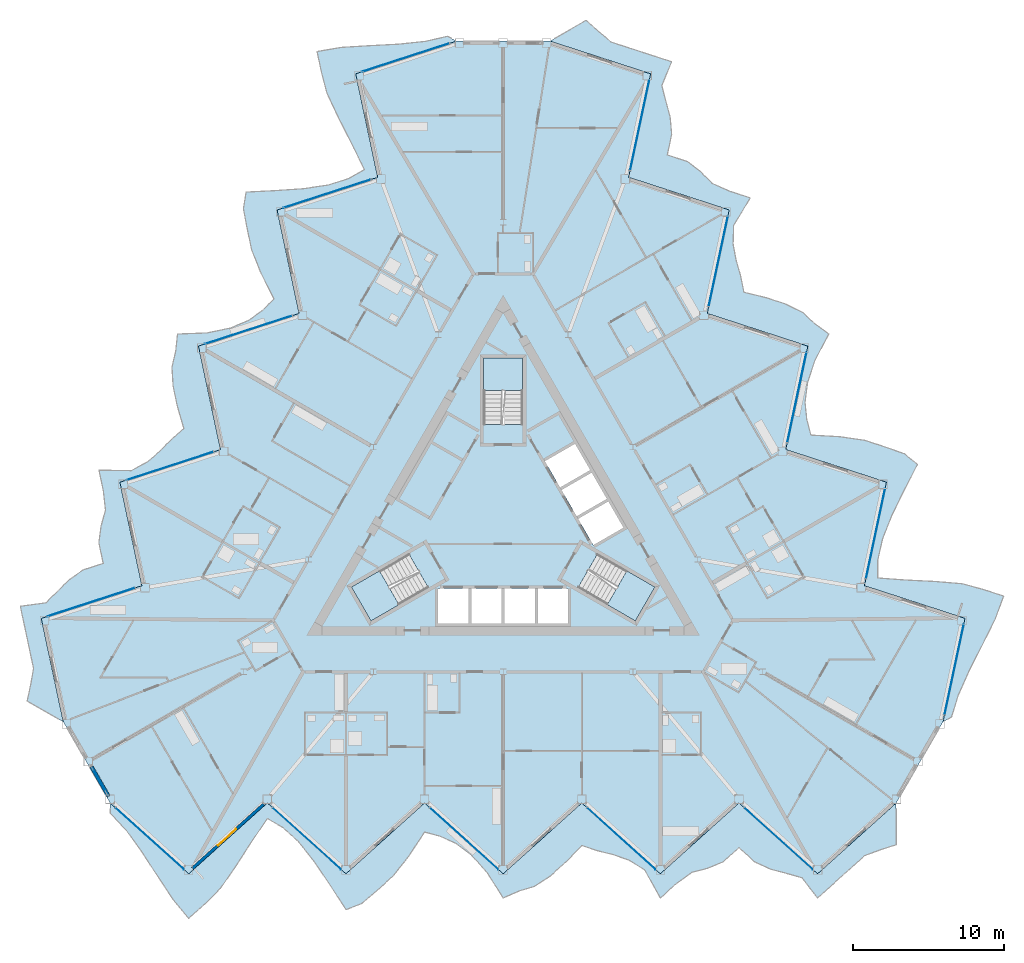
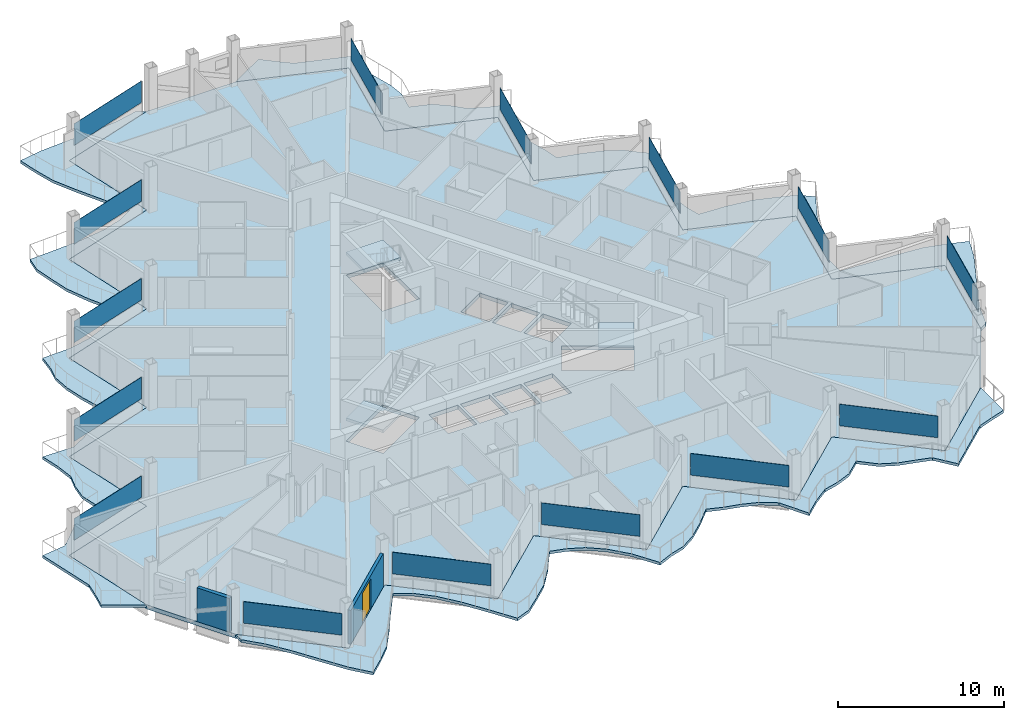
# One storey, part 12 of 27: 15 plates, 7 slabs, 2 walls, 1 door, 1 opening, 18 elements without a shape of their own.
"""IFC4 building model written with IfcOpenShell, lengths in metres."""

from ifc_helpers import new_model, si_unit, direction, frame, frame_2d, origin, origin_2d, place, context, subcontext, project, spatial, polyline, rectangle, outline, extrude, material, layer, layer_set, type_object, element, fill, aggregate, save


model = new_model("IFC4")

# Units and contexts
model_context = context("Model", 3, precision=1e-05, world=origin(), true_north=direction((0.0, 1.0)))
body_context = subcontext(model_context, "Body", "Model", "MODEL_VIEW")
ifc_project = project(units=[si_unit("LENGTHUNIT", "METRE"), si_unit("AREAUNIT", "SQUARE_METRE"), si_unit("VOLUMEUNIT", "CUBIC_METRE"), si_unit("PLANEANGLEUNIT", "RADIAN"), si_unit("MASSUNIT", "GRAM", prefix="KILO")], contexts=[model_context])

# Site, building, storey
site_placement = place(None, origin())
site = spatial("IfcSite", under=ifc_project, at=site_placement, CompositionType="ELEMENT")
building_placement = place(site_placement, origin())
building = spatial("IfcBuilding", under=site, at=building_placement, Name="Cormorant Prow Tower", CompositionType="ELEMENT")
storey_placement = place(building_placement, frame((0.0, 0.0, 335.800048828125)))
storey = spatial("IfcBuildingStorey", under=building, at=storey_placement, Name="L75", CompositionType="ELEMENT", Elevation=335.800048828125)

# Slabs
ifc_material_1 = material(Name="Concrete C40/50", Category="concrete")
ifc_layer_1 = layer(ifc_material_1, 0.199951171875)
ifc_layer_set_1 = layer_set([ifc_layer_1], Name="Concrete C40/50")
slab_type_1 = type_object("IfcSlabType", Name="Balcony slab 200", PredefinedType="FLOOR", material=ifc_layer_set_1)
slab_1_placement = place(storey_placement, frame((0.0, 0.0, -0.199951171875)))
element("IfcSlab", 1, at=slab_1_placement, inside=storey, type_object=slab_type_1, Name="Balcony slab S L75", PredefinedType="FLOOR", context=body_context, shape_type="SweptSolid", body=[
    extrude(outline(polyline([(-25.9814453125, -18.577880859375), (-25.9814453125, -19.227783203125), (-24.942138671875, -20.347412109375), (-23.90283203125, -21.780517578125), (-22.863525390625, -23.380859375), (-21.824462890625, -24.953125), (-20.78515625, -26.20654296875), (-19.745849609375, -25.270751953125), (-18.70654296875, -24.239013671875), (-17.667236328125, -22.7412109375), (-16.628173828125, -21.12841796875), (-15.5888671875, -19.599365234375), (-14.549560546875, -20.199951171875), (-13.51025390625, -21.15771484375), (-12.470947265625, -22.4658203125), (-11.431884765625, -24.0146484375), (-10.392578125, -25.624267578125), (-9.353271484375, -25.224853515625), (-8.31396484375, -24.3349609375), (-7.27490234375, -23.399169921875), (-6.235595703125, -22.078857421875), (-5.1962890625, -20.492919921875), (-4.156982421875, -20.774169921875), (-3.11767578125, -21.2431640625), (-2.07861328125, -22.03759765625), (-1.039306640625, -23.198974609375), (0.0, -24.8564453125), (1.039306640625, -24.396728515625), (2.07861328125, -24.0810546875), (3.11767578125, -23.399169921875), (4.156982421875, -22.463623046875), (5.1962890625, -21.377685546875), (6.235595703125, -21.728271484375), (7.27490234375, -21.986083984375), (8.31396484375, -22.35107421875), (9.353271484375, -22.990478515625), (10.392578125, -24.8564453125), (11.431884765625, -23.9208984375), (12.470947265625, -23.158935546875), (13.51025390625, -22.890869140625), (14.549560546875, -22.463623046875), (15.5888671875, -21.52783203125), (16.628173828125, -22.463623046875), (17.667236328125, -22.945068359375), (18.70654296875, -23.219482421875), (19.745849609375, -23.513427734375), (20.78515625, -24.8564453125), (21.824462890625, -23.9208984375), (22.863525390625, -22.985107421875), (23.90283203125, -22.04931640625), (24.942138671875, -21.669189453125), (25.9814453125, -21.33447265625), (25.9814453125, -18.577880859375), (24.942138671875, -19.513427734375), (23.90283203125, -20.44921875), (22.863525390625, -21.385009765625), (21.824462890625, -22.32080078125), (20.78515625, -23.256591796875), (19.745849609375, -22.32080078125), (18.70654296875, -21.385009765625), (17.667236328125, -20.44921875), (16.628173828125, -19.513427734375), (15.5888671875, -18.577880859375), (14.549560546875, -19.513427734375), (13.51025390625, -20.44921875), (12.470947265625, -21.385009765625), (11.431884765625, -22.32080078125), (10.392578125, -23.256591796875), (9.353271484375, -22.32080078125), (8.31396484375, -21.385009765625), (7.27490234375, -20.44921875), (6.235595703125, -19.513427734375), (5.1962890625, -18.577880859375), (4.156982421875, -19.513427734375), (3.11767578125, -20.44921875), (2.07861328125, -21.385009765625), (1.039306640625, -22.32080078125), (0.0, -23.256591796875), (-1.039306640625, -22.32080078125), (-2.07861328125, -21.385009765625), (-3.11767578125, -20.44921875), (-4.156982421875, -19.513427734375), (-5.1962890625, -18.577880859375), (-6.235595703125, -19.513427734375), (-7.27490234375, -20.44921875), (-8.31396484375, -21.385009765625), (-9.353271484375, -22.32080078125), (-10.392578125, -23.256591796875), (-11.431884765625, -22.32080078125), (-12.470947265625, -21.385009765625), (-13.51025390625, -20.44921875), (-14.549560546875, -19.513427734375), (-15.5888671875, -18.577880859375), (-16.628173828125, -19.513427734375), (-17.667236328125, -20.44921875), (-18.70654296875, -21.385009765625), (-19.745849609375, -22.32080078125), (-20.78515625, -23.256591796875), (-21.824462890625, -22.32080078125), (-22.863525390625, -21.385009765625), (-23.90283203125, -20.44921875), (-24.942138671875, -19.513427734375), (-25.9814453125, -18.577880859375)])), origin(), (0.0, 0.0, 1.0), 0.199951171875),
])
slab_2_placement = place(storey_placement, frame((0.0, 0.0, -0.199951171875)))
element("IfcSlab", 2, at=slab_2_placement, inside=storey, type_object=slab_type_1, Name="Balcony slab ENE L75", PredefinedType="FLOOR", context=body_context, shape_type="SweptSolid", body=[
    extrude(outline(polyline([(29.07958984375, -13.211669921875), (29.642333984375, -12.88671875), (30.09228515625, -11.4267578125), (30.81396484375, -9.810302734375), (31.68017578125, -8.110107421875), (32.522216796875, -6.423828125), (33.088134765625, -4.897216796875), (31.758056640625, -4.465087890625), (30.344970703125, -4.080810546875), (28.5283203125, -3.9296875), (26.61181640625, -3.836181640625), (24.767822265625, -3.70068359375), (24.7685546875, -2.500244140625), (25.078369140625, -1.121337890625), (25.69140625, 0.4326171875), (26.51318359375, 2.107177734375), (27.3876953125, 3.81201171875), (26.52197265625, 4.51220703125), (25.231689453125, 4.96728515625), (23.90185546875, 5.3994140625), (22.23876953125, 5.639404296875), (20.345458984375, 5.746337890625), (20.0693359375, 6.786865234375), (19.9560546875, 7.921630859375), (20.12451171875, 9.21875), (20.610595703125, 10.699462890625), (21.5263671875, 12.42822265625), (20.608642578125, 13.098388671875), (19.815673828125, 13.840576171875), (18.70556640625, 14.399658203125), (17.37548828125, 14.831787109375), (15.91552734375, 15.18896484375), (15.699462890625, 16.26416015625), (15.403076171875, 17.293212890625), (15.199462890625, 18.375732421875), (15.233642578125, 19.595458984375), (16.330078125, 21.428466796875), (15.0, 21.860595703125), (13.82080078125, 22.379638671875), (13.069091796875, 23.145751953125), (12.17919921875, 23.83203125), (10.84912109375, 24.26416015625), (11.139892578125, 25.632080078125), (11.037353515625, 26.77294921875), (10.75537109375, 27.81005859375), (10.490234375, 28.85693359375), (11.1337890625, 30.4287109375), (9.803955078125, 30.86083984375), (8.473876953125, 31.29296875), (7.143798828125, 31.72509765625), (6.294921875, 32.43505859375), (5.485595703125, 33.167724609375), (3.09814453125, 31.789306640625), (4.42822265625, 31.357177734375), (5.758056640625, 30.925048828125), (7.088134765625, 30.492919921875), (8.418212890625, 30.060791015625), (9.748291015625, 29.628662109375), (9.45751953125, 28.2607421875), (9.166748046875, 26.892822265625), (8.8759765625, 25.52490234375), (8.585205078125, 24.156982421875), (8.29443359375, 22.789306640625), (9.62451171875, 22.357177734375), (10.954345703125, 21.9248046875), (12.284423828125, 21.49267578125), (13.614501953125, 21.060546875), (14.944580078125, 20.62841796875), (14.65380859375, 19.260498046875), (14.363037109375, 17.892578125), (14.072265625, 16.52490234375), (13.781494140625, 15.156982421875), (13.49072265625, 13.7890625), (14.82080078125, 13.35693359375), (16.150634765625, 12.9248046875), (17.480712890625, 12.49267578125), (18.810791015625, 12.060302734375), (20.140869140625, 11.628173828125), (19.85009765625, 10.26025390625), (19.559326171875, 8.892578125), (19.2685546875, 7.524658203125), (18.977783203125, 6.15673828125), (18.68701171875, 4.788818359375), (20.01708984375, 4.356689453125), (21.346923828125, 3.924560546875), (22.677001953125, 3.492431640625), (24.007080078125, 3.060302734375), (25.3369140625, 2.628173828125), (25.04638671875, 1.26025390625), (24.755615234375, -0.107666015625), (24.46484375, -1.4755859375), (24.174072265625, -2.843505859375), (23.88330078125, -4.21142578125), (25.21337890625, -4.6435546875), (26.543212890625, -5.07568359375), (27.873291015625, -5.5078125), (29.203369140625, -5.93994140625), (30.533203125, -6.3720703125), (30.242431640625, -7.739990234375), (29.951904296875, -9.10791015625), (29.6611328125, -10.475830078125), (29.370361328125, -11.84375), (29.07958984375, -13.211669921875)])), origin(), (0.0, 0.0, 1.0), 0.199951171875),
])
slab_3_placement = place(storey_placement, frame((0.0, 0.0, -0.199951171875)))
element("IfcSlab", 3, at=slab_3_placement, inside=storey, type_object=slab_type_1, Name="Balcony slab WNW L75", PredefinedType="FLOOR", context=body_context, shape_type="SweptSolid", body=[
    extrude(outline(polyline([(-3.09814453125, 31.789306640625), (-3.6611328125, 32.114501953125), (-5.150146484375, 31.774169921875), (-6.910888671875, 31.5908203125), (-8.816650390625, 31.490966796875), (-10.69775390625, 31.376953125), (-12.302978515625, 31.103759765625), (-12.01220703125, 29.73583984375), (-11.63818359375, 28.31982421875), (-10.86083984375, 26.6708984375), (-9.983642578125, 24.964599609375), (-9.178955078125, 23.300048828125), (-10.218994140625, 22.700439453125), (-11.56787109375, 22.279052734375), (-13.220458984375, 22.033203125), (-15.08154296875, 21.90771484375), (-16.9951171875, 21.8125), (-17.168701171875, 20.712646484375), (-16.917724609375, 19.36767578125), (-16.626953125, 17.999755859375), (-16.003173828125, 16.439697265625), (-15.149169921875, 14.74658203125), (-15.912353515625, 13.987060546875), (-16.83837890625, 13.32177734375), (-18.0458984375, 12.81884765625), (-19.5712890625, 12.49951171875), (-21.5263671875, 12.42822265625), (-21.64794921875, 11.29833984375), (-21.89404296875, 10.240478515625), (-21.8232421875, 8.99951171875), (-21.532470703125, 7.631591796875), (-21.111572265625, 6.188720703125), (-21.934814453125, 5.4638671875), (-22.677978515625, 4.69287109375), (-23.513427734375, 3.975341796875), (-24.5869140625, 3.39501953125), (-26.72265625, 3.427978515625), (-26.431884765625, 2.06005859375), (-26.291748046875, 0.779296875), (-26.579345703125, -0.2548828125), (-26.728759765625, -1.368408203125), (-26.43798828125, -2.736328125), (-27.76806640625, -3.16845703125), (-28.70458984375, -3.827880859375), (-29.4619140625, -4.590576171875), (-30.236083984375, -5.34375), (-31.9189453125, -5.572265625), (-31.628173828125, -6.93994140625), (-31.33740234375, -8.307861328125), (-31.046630859375, -9.67578125), (-31.237060546875, -10.765869140625), (-31.466796875, -11.833251953125), (-29.07958984375, -13.211669921875), (-29.370361328125, -11.84375), (-29.6611328125, -10.475830078125), (-29.951904296875, -9.10791015625), (-30.242431640625, -7.739990234375), (-30.533203125, -6.3720703125), (-29.203369140625, -5.93994140625), (-27.873291015625, -5.5078125), (-26.543212890625, -5.07568359375), (-25.21337890625, -4.6435546875), (-23.88330078125, -4.21142578125), (-24.174072265625, -2.843505859375), (-24.46484375, -1.4755859375), (-24.755615234375, -0.107666015625), (-25.04638671875, 1.26025390625), (-25.3369140625, 2.628173828125), (-24.007080078125, 3.060302734375), (-22.677001953125, 3.492431640625), (-21.346923828125, 3.924560546875), (-20.01708984375, 4.356689453125), (-18.68701171875, 4.788818359375), (-18.977783203125, 6.15673828125), (-19.2685546875, 7.524658203125), (-19.559326171875, 8.892578125), (-19.85009765625, 10.26025390625), (-20.140869140625, 11.628173828125), (-18.810791015625, 12.060302734375), (-17.480712890625, 12.49267578125), (-16.150634765625, 12.9248046875), (-14.82080078125, 13.35693359375), (-13.49072265625, 13.7890625), (-13.781494140625, 15.156982421875), (-14.072265625, 16.52490234375), (-14.363037109375, 17.892578125), (-14.65380859375, 19.260498046875), (-14.944580078125, 20.62841796875), (-13.614501953125, 21.060546875), (-12.284423828125, 21.49267578125), (-10.954345703125, 21.9248046875), (-9.62451171875, 22.357177734375), (-8.29443359375, 22.789306640625), (-8.585205078125, 24.156982421875), (-8.8759765625, 25.52490234375), (-9.166748046875, 26.892822265625), (-9.45751953125, 28.2607421875), (-9.748291015625, 29.628662109375), (-8.418212890625, 30.060791015625), (-7.088134765625, 30.492919921875), (-5.758056640625, 30.925048828125), (-4.42822265625, 31.357177734375), (-3.09814453125, 31.789306640625)])), origin(), (0.0, 0.0, 1.0), 0.199951171875),
])
ifc_material_2 = material(Name="Concrete C40/50", Category="concrete")
ifc_layer_2 = layer(ifc_material_2, 0.300048828125)
ifc_layer_set_2 = layer_set([ifc_layer_2], Name="Concrete C40/50")
slab_type_2 = type_object("IfcSlabType", Name="Post-tensioned flat slab 300", PredefinedType="FLOOR", material=ifc_layer_set_2)
slab_4_placement = place(storey_placement, frame((0.0, 0.0, -0.300048828125)))
element("IfcSlab", 4, at=slab_4_placement, inside=storey, type_object=slab_type_2, Name="Floor slab L75", PredefinedType="FLOOR", context=body_context, shape_type="SweptSolid", body=[
    extrude(outline(polyline([(-8.29443359375, 22.789306640625), (-14.944580078125, 20.62841796875), (-13.49072265625, 13.7890625), (-20.140869140625, 11.628173828125), (-18.68701171875, 4.788818359375), (-25.3369140625, 2.628173828125), (-23.88330078125, -4.21142578125), (-30.533203125, -6.3720703125), (-29.07958984375, -13.211669921875), (-27.530517578125, -15.894775390625), (-25.9814453125, -18.577880859375), (-20.78515625, -23.256591796875), (-15.5888671875, -18.577880859375), (-10.392578125, -23.256591796875), (-5.1962890625, -18.577880859375), (0.0, -23.256591796875), (5.1962890625, -18.577880859375), (10.392578125, -23.256591796875), (15.5888671875, -18.577880859375), (20.78515625, -23.256591796875), (25.9814453125, -18.577880859375), (27.530517578125, -15.894775390625), (29.07958984375, -13.211669921875), (30.533203125, -6.3720703125), (23.88330078125, -4.21142578125), (25.3369140625, 2.628173828125), (18.68701171875, 4.788818359375), (20.140869140625, 11.628173828125), (13.49072265625, 13.7890625), (14.944580078125, 20.62841796875), (8.29443359375, 22.789306640625), (9.748291015625, 29.628662109375), (3.09814453125, 31.789306640625), (0.0, 31.789306640625), (-3.09814453125, 31.789306640625), (-9.748291015625, 29.628662109375), (-8.29443359375, 22.789306640625)]), holes=[polyline([(-4.300048828125, -4.39990234375), (-2.300048828125, -4.39990234375), (-2.300048828125, -6.699951171875), (-4.300048828125, -6.699951171875), (-4.300048828125, -4.39990234375)]), polyline([(-0.10009765625, -4.39990234375), (-0.10009765625, -6.699951171875), (-2.10009765625, -6.699951171875), (-2.10009765625, -4.39990234375), (-0.10009765625, -4.39990234375)]), polyline([(2.10009765625, -6.699951171875), (0.10009765625, -6.699951171875), (0.10009765625, -4.39990234375), (2.10009765625, -4.39990234375), (2.10009765625, -6.699951171875)]), polyline([(2.300048828125, -6.699951171875), (2.300048828125, -4.39990234375), (4.300048828125, -4.39990234375), (4.300048828125, -6.699951171875), (2.300048828125, -6.699951171875)]), polyline([(5.96044921875, -1.52392578125), (4.96044921875, 0.2080078125), (6.952392578125, 1.358154296875), (7.952392578125, -0.373779296875), (5.96044921875, -1.52392578125)]), polyline([(3.860595703125, 2.11328125), (5.852294921875, 3.263427734375), (6.852294921875, 1.53125), (4.860595703125, 0.38134765625), (3.860595703125, 2.11328125)]), polyline([(4.75244140625, 5.168701171875), (5.75244140625, 3.4365234375), (3.760498046875, 2.28662109375), (2.760498046875, 4.018798828125), (4.75244140625, 5.168701171875)]), polyline([(-4.947509765625, -4.3505859375), (-8.738037109375, -6.5390625), (-10.031982421875, -4.2978515625), (-6.241455078125, -2.109375), (-4.947509765625, -4.3505859375)]), polyline([(10.031982421875, -4.2978515625), (8.738037109375, -6.5390625), (4.947509765625, -4.3505859375), (6.241455078125, -2.109375), (10.031982421875, -4.2978515625)]), polyline([(1.2939453125, 10.8369140625), (1.2939453125, 6.459716796875), (-1.2939453125, 6.459716796875), (-1.2939453125, 10.8369140625), (1.2939453125, 10.8369140625)])]), origin(), (0.0, 0.0, 1.0), 0.300048828125),
])

# Curtain wall, plate
ifc_material_3 = material(Name="Aluminium 6063-T6", Category="aluminium")
ifc_layer_3 = layer(ifc_material_3, 0.159912109375)
ifc_layer_set_3 = layer_set([ifc_layer_3], Name="Aluminium 6063-T6")
curtain_wall_type = type_object("IfcCurtainWallType", Name="Residential unitised curtain wall 160", PredefinedType="NOTDEFINED", material=ifc_layer_set_3)
curtain_wall_1_placement = place(storey_placement, origin())
curtain_wall_1 = element("IfcCurtainWall", 5, at=curtain_wall_1_placement, inside=storey, type_object=curtain_wall_type, Name="Residential curtain wall S00", PredefinedType="NOTDEFINED")
ifc_material_4 = material(Name="Clear glass", Category="glass")
ifc_layer_4 = layer(ifc_material_4, 0.02392578125)
ifc_layer_set_4 = layer_set([ifc_layer_4], Name="Clear glass")
plate_type = type_object("IfcPlateType", Name="Residential glass panel 24", PredefinedType="CURTAIN_PANEL", material=ifc_layer_set_4)
plate_1_placement = place(storey_placement, frame((-23.36474609375, -20.933837890625, 0.89990234375), z_axis=(0.0, 0.0, 1.0), x_axis=(0.743144841442, -0.669130588628, 0.0)))
plate_1 = element("IfcPlate", 6, at=plate_1_placement, type_object=plate_type, Name="Residential glass panel S00", PredefinedType="CURTAIN_PANEL", context=body_context, shape_type="SweptSolid", body=[
    extrude(rectangle(XDim=6.07421875, YDim=0.02392578125, at=origin_2d()), origin(), (0.0, 0.0, 1.0), 1.587890625),
])
aggregate(curtain_wall_1, [plate_1])

curtain_wall_2_placement = place(storey_placement, origin())
curtain_wall_2 = element("IfcCurtainWall", 7, at=curtain_wall_2_placement, inside=storey, type_object=curtain_wall_type, Name="Residential curtain wall S02", PredefinedType="NOTDEFINED")
plate_2_placement = place(storey_placement, frame((-12.97216796875, -20.933837890625, 0.89990234375), z_axis=(0.0, 0.0, 1.0), x_axis=(0.743144841442, -0.669130588628, 0.0)))
plate_2 = element("IfcPlate", 8, at=plate_2_placement, type_object=plate_type, Name="Residential glass panel S02", PredefinedType="CURTAIN_PANEL", context=body_context, shape_type="SweptSolid", body=[
    extrude(rectangle(XDim=6.07421875, YDim=0.02392578125, at=origin_2d()), origin(), (0.0, 0.0, 1.0), 1.587890625),
])
aggregate(curtain_wall_2, [plate_2])

curtain_wall_3_placement = place(storey_placement, origin())
curtain_wall_3 = element("IfcCurtainWall", 9, at=curtain_wall_3_placement, inside=storey, type_object=curtain_wall_type, Name="Residential curtain wall S04", PredefinedType="NOTDEFINED")
plate_3_placement = place(storey_placement, frame((-2.57958984375, -20.933837890625, 0.89990234375), z_axis=(0.0, 0.0, 1.0), x_axis=(0.743144841442, -0.669130588628, 0.0)))
plate_3 = element("IfcPlate", 10, at=plate_3_placement, type_object=plate_type, Name="Residential glass panel S04", PredefinedType="CURTAIN_PANEL", context=body_context, shape_type="SweptSolid", body=[
    extrude(rectangle(XDim=6.07421875, YDim=0.02392578125, at=origin_2d()), origin(), (0.0, 0.0, 1.0), 1.587890625),
])
aggregate(curtain_wall_3, [plate_3])

curtain_wall_4_placement = place(storey_placement, origin())
curtain_wall_4 = element("IfcCurtainWall", 11, at=curtain_wall_4_placement, inside=storey, type_object=curtain_wall_type, Name="Residential curtain wall S06", PredefinedType="NOTDEFINED")
plate_4_placement = place(storey_placement, frame((7.81298828125, -20.933837890625, 0.89990234375), z_axis=(0.0, 0.0, 1.0), x_axis=(0.743144841442, -0.669130588628, 0.0)))
plate_4 = element("IfcPlate", 12, at=plate_4_placement, type_object=plate_type, Name="Residential glass panel S06", PredefinedType="CURTAIN_PANEL", context=body_context, shape_type="SweptSolid", body=[
    extrude(rectangle(XDim=6.07421875, YDim=0.02392578125, at=origin_2d()), origin(), (0.0, 0.0, 1.0), 1.587890625),
])
aggregate(curtain_wall_4, [plate_4])

curtain_wall_5_placement = place(storey_placement, origin())
curtain_wall_5 = element("IfcCurtainWall", 13, at=curtain_wall_5_placement, inside=storey, type_object=curtain_wall_type, Name="Residential curtain wall S08", PredefinedType="NOTDEFINED")
plate_5_placement = place(storey_placement, frame((18.20556640625, -20.933837890625, 0.89990234375), z_axis=(0.0, 0.0, 1.0), x_axis=(0.743144841442, -0.669130588628, 0.0)))
plate_5 = element("IfcPlate", 14, at=plate_5_placement, type_object=plate_type, Name="Residential glass panel S08", PredefinedType="CURTAIN_PANEL", context=body_context, shape_type="SweptSolid", body=[
    extrude(rectangle(XDim=6.07421875, YDim=0.02392578125, at=origin_2d()), origin(), (0.0, 0.0, 1.0), 1.587890625),
])
aggregate(curtain_wall_5, [plate_5])

curtain_wall_6_placement = place(storey_placement, origin())
curtain_wall_6 = element("IfcCurtainWall", 15, at=curtain_wall_6_placement, inside=storey, type_object=curtain_wall_type, Name="Residential curtain wall ENE00", PredefinedType="NOTDEFINED")
plate_6_placement = place(storey_placement, frame((29.8115234375, -9.767333984375, 0.89990234375), z_axis=(0.0, 0.0, 1.0), x_axis=(0.207911593013, 0.978147621523, 0.0)))
plate_6 = element("IfcPlate", 16, at=plate_6_placement, type_object=plate_type, Name="Residential glass panel ENE00", PredefinedType="CURTAIN_PANEL", context=body_context, shape_type="SweptSolid", body=[
    extrude(rectangle(XDim=6.07421875, YDim=0.02392578125, at=origin_2d()), origin(), (0.0, 0.0, 1.0), 1.587890625),
])
aggregate(curtain_wall_6, [plate_6])

curtain_wall_7_placement = place(storey_placement, origin())
curtain_wall_7 = element("IfcCurtainWall", 17, at=curtain_wall_7_placement, inside=storey, type_object=curtain_wall_type, Name="Residential curtain wall ENE02", PredefinedType="NOTDEFINED")
plate_7_placement = place(storey_placement, frame((24.615234375, -0.767333984375, 0.89990234375), z_axis=(0.0, 0.0, 1.0), x_axis=(0.207911729844, 0.978147592438, 0.0)))
plate_7 = element("IfcPlate", 18, at=plate_7_placement, type_object=plate_type, Name="Residential glass panel ENE02", PredefinedType="CURTAIN_PANEL", context=body_context, shape_type="SweptSolid", body=[
    extrude(rectangle(XDim=6.07421875, YDim=0.02392578125, at=origin_2d()), origin(), (0.0, 0.0, 1.0), 1.587890625),
])
aggregate(curtain_wall_7, [plate_7])

curtain_wall_8_placement = place(storey_placement, origin())
curtain_wall_8 = element("IfcCurtainWall", 19, at=curtain_wall_8_placement, inside=storey, type_object=curtain_wall_type, Name="Residential curtain wall ENE04", PredefinedType="NOTDEFINED")
plate_8_placement = place(storey_placement, frame((19.4189453125, 8.23291015625, 0.89990234375), z_axis=(0.0, 0.0, 1.0), x_axis=(0.207911729844, 0.978147592438, 0.0)))
plate_8 = element("IfcPlate", 20, at=plate_8_placement, type_object=plate_type, Name="Residential glass panel ENE04", PredefinedType="CURTAIN_PANEL", context=body_context, shape_type="SweptSolid", body=[
    extrude(rectangle(XDim=6.07421875, YDim=0.02392578125, at=origin_2d()), origin(), (0.0, 0.0, 1.0), 1.587890625),
])
aggregate(curtain_wall_8, [plate_8])

curtain_wall_9_placement = place(storey_placement, origin())
curtain_wall_9 = element("IfcCurtainWall", 21, at=curtain_wall_9_placement, inside=storey, type_object=curtain_wall_type, Name="Residential curtain wall ENE06", PredefinedType="NOTDEFINED")
plate_9_placement = place(storey_placement, frame((14.222900390625, 17.233154296875, 0.89990234375), z_axis=(0.0, 0.0, 1.0), x_axis=(0.207911729844, 0.978147592438, 0.0)))
plate_9 = element("IfcPlate", 22, at=plate_9_placement, type_object=plate_type, Name="Residential glass panel ENE06", PredefinedType="CURTAIN_PANEL", context=body_context, shape_type="SweptSolid", body=[
    extrude(rectangle(XDim=6.07421875, YDim=0.02392578125, at=origin_2d()), origin(), (0.0, 0.0, 1.0), 1.587890625),
])
aggregate(curtain_wall_9, [plate_9])

curtain_wall_10_placement = place(storey_placement, origin())
curtain_wall_10 = element("IfcCurtainWall", 23, at=curtain_wall_10_placement, inside=storey, type_object=curtain_wall_type, Name="Residential curtain wall ENE08", PredefinedType="NOTDEFINED")
plate_10_placement = place(storey_placement, frame((9.026611328125, 26.2333984375, 0.89990234375), z_axis=(0.0, 0.0, 1.0), x_axis=(0.207911700771, 0.978147598618, 0.0)))
plate_10 = element("IfcPlate", 24, at=plate_10_placement, type_object=plate_type, Name="Residential glass panel ENE08", PredefinedType="CURTAIN_PANEL", context=body_context, shape_type="SweptSolid", body=[
    extrude(rectangle(XDim=6.07421875, YDim=0.02392578125, at=origin_2d()), origin(), (0.0, 0.0, 1.0), 1.587890625),
])
aggregate(curtain_wall_10, [plate_10])

curtain_wall_11_placement = place(storey_placement, origin())
curtain_wall_11 = element("IfcCurtainWall", 25, at=curtain_wall_11_placement, inside=storey, type_object=curtain_wall_type, Name="Residential curtain wall WNW00", PredefinedType="NOTDEFINED")
plate_11_placement = place(storey_placement, frame((-6.447021484375, 30.701416015625, 0.89990234375), z_axis=(0.0, 0.0, 1.0), x_axis=(-0.951056554167, -0.309016877816, 0.0)))
plate_11 = element("IfcPlate", 26, at=plate_11_placement, type_object=plate_type, Name="Residential glass panel WNW00", PredefinedType="CURTAIN_PANEL", context=body_context, shape_type="SweptSolid", body=[
    extrude(rectangle(XDim=6.07421875, YDim=0.02392578125, at=origin_2d()), origin(), (0.0, 0.0, 1.0), 1.587890625),
])
aggregate(curtain_wall_11, [plate_11])

curtain_wall_12_placement = place(storey_placement, origin())
curtain_wall_12 = element("IfcCurtainWall", 27, at=curtain_wall_12_placement, inside=storey, type_object=curtain_wall_type, Name="Residential curtain wall WNW02", PredefinedType="NOTDEFINED")
plate_12_placement = place(storey_placement, frame((-11.643310546875, 21.701171875, 0.89990234375), z_axis=(0.0, 0.0, 1.0), x_axis=(-0.951056512137, -0.309017007173, 0.0)))
plate_12 = element("IfcPlate", 28, at=plate_12_placement, type_object=plate_type, Name="Residential glass panel WNW02", PredefinedType="CURTAIN_PANEL", context=body_context, shape_type="SweptSolid", body=[
    extrude(rectangle(XDim=6.07421875, YDim=0.02392578125, at=origin_2d()), origin(), (0.0, 0.0, 1.0), 1.587890625),
])
aggregate(curtain_wall_12, [plate_12])

curtain_wall_13_placement = place(storey_placement, origin())
curtain_wall_13 = element("IfcCurtainWall", 29, at=curtain_wall_13_placement, inside=storey, type_object=curtain_wall_type, Name="Residential curtain wall WNW04", PredefinedType="NOTDEFINED")
plate_13_placement = place(storey_placement, frame((-16.839599609375, 12.700927734375, 0.89990234375), z_axis=(0.0, 0.0, 1.0), x_axis=(-0.951056512137, -0.309017007173, 0.0)))
plate_13 = element("IfcPlate", 30, at=plate_13_placement, type_object=plate_type, Name="Residential glass panel WNW04", PredefinedType="CURTAIN_PANEL", context=body_context, shape_type="SweptSolid", body=[
    extrude(rectangle(XDim=6.07421875, YDim=0.02392578125, at=origin_2d()), origin(), (0.0, 0.0, 1.0), 1.587890625),
])
aggregate(curtain_wall_13, [plate_13])

curtain_wall_14_placement = place(storey_placement, origin())
curtain_wall_14 = element("IfcCurtainWall", 31, at=curtain_wall_14_placement, inside=storey, type_object=curtain_wall_type, Name="Residential curtain wall WNW06", PredefinedType="NOTDEFINED")
plate_14_placement = place(storey_placement, frame((-22.035888671875, 3.70068359375, 0.89990234375), z_axis=(0.0, 0.0, 1.0), x_axis=(-0.951056512137, -0.309017007173, 0.0)))
plate_14 = element("IfcPlate", 32, at=plate_14_placement, type_object=plate_type, Name="Residential glass panel WNW06", PredefinedType="CURTAIN_PANEL", context=body_context, shape_type="SweptSolid", body=[
    extrude(rectangle(XDim=6.07421875, YDim=0.02392578125, at=origin_2d()), origin(), (0.0, 0.0, 1.0), 1.587890625),
])
aggregate(curtain_wall_14, [plate_14])

curtain_wall_15_placement = place(storey_placement, origin())
curtain_wall_15 = element("IfcCurtainWall", 33, at=curtain_wall_15_placement, inside=storey, type_object=curtain_wall_type, Name="Residential curtain wall WNW08", PredefinedType="NOTDEFINED")
plate_15_placement = place(storey_placement, frame((-27.23193359375, -5.299560546875, 0.89990234375), z_axis=(0.0, 0.0, 1.0), x_axis=(-0.951056512137, -0.309017007173, 0.0)))
plate_15 = element("IfcPlate", 34, at=plate_15_placement, type_object=plate_type, Name="Residential glass panel WNW08", PredefinedType="CURTAIN_PANEL", context=body_context, shape_type="SweptSolid", body=[
    extrude(rectangle(XDim=6.07421875, YDim=0.02392578125, at=origin_2d()), origin(), (0.0, 0.0, 1.0), 1.587890625),
])
aggregate(curtain_wall_15, [plate_15])

# Stair, slab
ifc_material_5 = material(Name="Exit stair 18 risers")
stair_type = type_object("IfcStairType", Name="Exit stair 18 risers", PredefinedType="HALF_TURN_STAIR", material=ifc_material_5)
stair_1_placement = place(storey_placement, origin())
stair_1 = element("IfcStair", 35, at=stair_1_placement, inside=storey, type_object=stair_type, Name="L75 Exit stair ST1", PredefinedType="HALF_TURN_STAIR")
ifc_material_6 = material(Name="Concrete 5000 psi", Category="concrete")
ifc_layer_5 = layer(ifc_material_6, 0.199951171875)
ifc_layer_set_5 = layer_set([ifc_layer_5], Name="Concrete 5000 psi")
slab_type_3 = type_object("IfcSlabType", Name="Stair landing 200", PredefinedType="LANDING", material=ifc_layer_set_5)
slab_5_placement = place(storey_placement, frame((0.0, 0.0, 1.5)))
slab_5 = element("IfcSlab", 36, at=slab_5_placement, type_object=slab_type_3, Name="ST1 landing 1", PredefinedType="LANDING", context=body_context, shape_type="SweptSolid", body=[
    extrude(outline(polyline([(-8.17431640625, -3.225341796875), (-10.031982421875, -4.2978515625), (-8.738037109375, -6.5390625), (-6.88037109375, -5.466552734375), (-8.17431640625, -3.225341796875)])), origin(), (0.0, 0.0, 1.0), 0.199951171875),
])
aggregate(stair_1, [slab_5])

stair_2_placement = place(storey_placement, origin())
stair_2 = element("IfcStair", 37, at=stair_2_placement, inside=storey, type_object=stair_type, Name="L75 Exit stair ST2", PredefinedType="HALF_TURN_STAIR")
slab_6_placement = place(storey_placement, frame((0.0, 0.0, 1.5)))
slab_6 = element("IfcSlab", 38, at=slab_6_placement, type_object=slab_type_3, Name="ST2 landing 1", PredefinedType="LANDING", context=body_context, shape_type="SweptSolid", body=[
    extrude(outline(polyline([(6.88037109375, -5.466552734375), (8.738037109375, -6.5390625), (10.031982421875, -4.2978515625), (8.17431640625, -3.225341796875), (6.88037109375, -5.466552734375)])), origin(), (0.0, 0.0, 1.0), 0.199951171875),
])
aggregate(stair_2, [slab_6])

stair_3_placement = place(storey_placement, origin())
stair_3 = element("IfcStair", 39, at=stair_3_placement, inside=storey, type_object=stair_type, Name="L75 Exit stair ST3", PredefinedType="HALF_TURN_STAIR")
slab_7_placement = place(storey_placement, frame((0.0, 0.0, 1.5)))
slab_7 = element("IfcSlab", 40, at=slab_7_placement, type_object=slab_type_3, Name="ST3 landing 1", PredefinedType="LANDING", context=body_context, shape_type="SweptSolid", body=[
    extrude(outline(polyline([(1.2939453125, 8.69189453125), (1.2939453125, 10.8369140625), (-1.2939453125, 10.8369140625), (-1.2939453125, 8.69189453125), (1.2939453125, 8.69189453125)])), origin(), (0.0, 0.0, 1.0), 0.199951171875),
])
aggregate(stair_3, [slab_7])

# Wall
ifc_material_7 = material(Name="Terracotta", Category="masonry")
ifc_layer_6 = layer(ifc_material_7, 0.25)
ifc_layer_set_6 = layer_set([ifc_layer_6], Name="Terracotta")
wall_type_1 = type_object("IfcWallType", Name="Terracotta bay wall 250", PredefinedType="SOLIDWALL", material=ifc_layer_set_6)
wall_1_placement = place(storey_placement, frame((-27.218994140625, -16.184326171875, 0.0), z_axis=(0.0, 0.0, 1.0), x_axis=(0.500046963369, -0.865998287773, 0.0)))
element("IfcWall", 41, at=wall_1_placement, inside=storey, type_object=wall_type_1, Name="Terracotta bay wall WSW01", PredefinedType="SOLIDWALL", context=body_context, shape_type="SweptSolid", body=[
    extrude(rectangle(XDim=2.257568359375, YDim=0.25, at=frame_2d((1.12890625, 0.0))), origin(), (0.0, 0.0, 1.0), 2.48779296875),
])

# Wall, opening, door
ifc_material_8 = material(Name="Terracotta", Category="masonry")
ifc_layer_7 = layer(ifc_material_8, 0.199951171875)
ifc_layer_set_7 = layer_set([ifc_layer_7], Name="Terracotta")
wall_type_2 = type_object("IfcWallType", Name="Terracotta jamb wall 200", PredefinedType="SOLIDWALL", material=ifc_layer_set_7)
wall_2_placement = place(storey_placement, frame((-20.529541015625, -22.891845703125, 0.0), z_axis=(0.0, 0.0, 1.0), x_axis=(0.743134328827, 0.669142263887, 0.0)))
wall_2 = element("IfcWall", 42, at=wall_2_placement, inside=storey, type_object=wall_type_2, Name="Terracotta jamb wall S01", PredefinedType="SOLIDWALL", context=body_context, shape_type="SweptSolid", body=[
    extrude(rectangle(XDim=6.305419921875, YDim=0.199951171875, at=frame_2d((3.15283203125, 0.0))), origin(), (0.0, 0.0, 1.0), 2.48779296875),
])
opening_placement = place(wall_2_placement, frame((2.26220703125, 0.0, 0.0)))
opening = element("IfcOpeningElement", 43, at=opening_placement, cuts=wall_2, Name="Opening ED75.01", PredefinedType="OPENING", context=body_context, shape_type="SweptSolid", body=[
    extrude(rectangle(XDim=1.60009765625, YDim=2.25, at=frame_2d((0.800048828125, 1.125))), frame((0.0, 0.10986328125, 0.0), z_axis=(0.0, -1.0, 0.0), x_axis=(1.0, 0.0, 0.0)), (0.0, 0.0, 1.0), 0.219970703125),
])
ifc_material_9 = material(Name="Aluminium 6063-T6", Category="aluminium")
door_type = type_object("IfcDoorType", Name="Balcony door 1600x2250", OperationType="DOUBLE_DOOR_SINGLE_SWING", PredefinedType="DOOR", material=ifc_material_9)
door_placement = place(opening_placement, origin())
door = element("IfcDoor", 44, at=door_placement, inside=storey, type_object=door_type, Name="Balcony door S01 ED75.01", OperationType="DOUBLE_DOOR_SINGLE_SWING", OverallHeight=2.25, OverallWidth=1.60009765625, PredefinedType="DOOR", context=body_context, shape_type="SweptSolid", body=[
    extrude(rectangle(XDim=1.60009765625, YDim=2.25, at=frame_2d((0.800048828125, 1.125))), frame((0.0, 0.02490234375, 0.0), z_axis=(0.0, -1.0, 0.0), x_axis=(1.0, 0.0, 0.0)), (0.0, 0.0, 1.0), 0.050048828125),
])
fill(opening, door)

save(model, "model.ifc")
